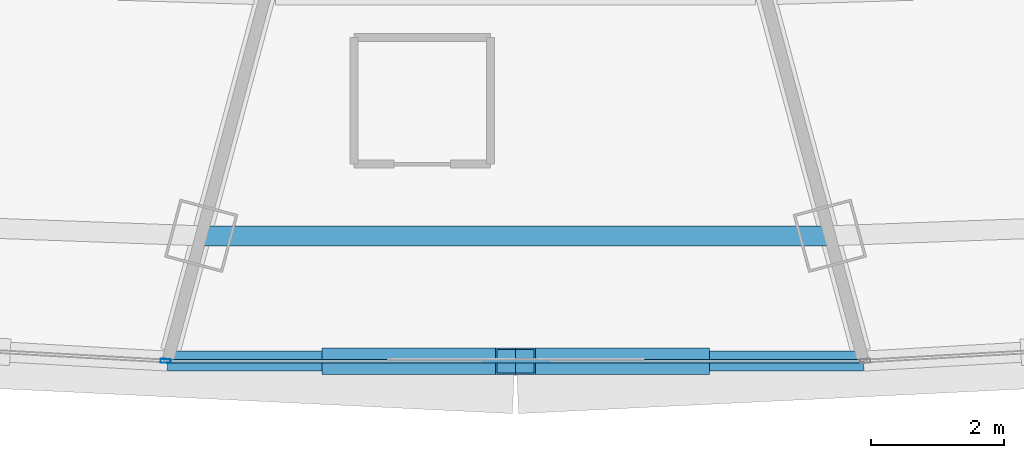
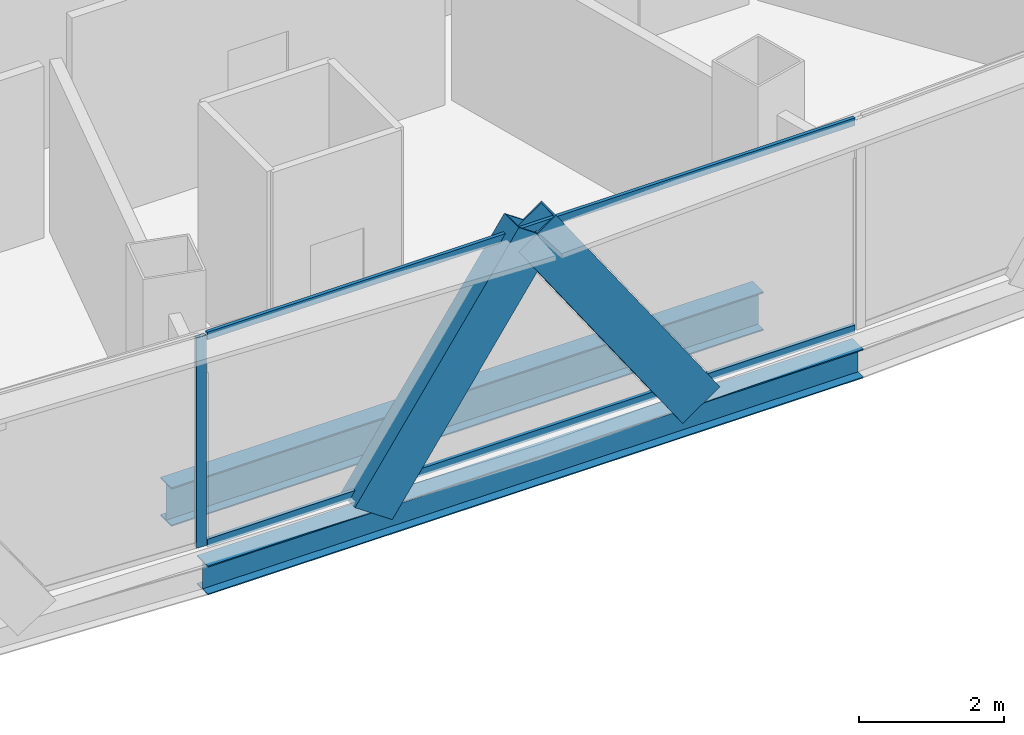
# One storey, part 10 of 37: 5 members, 2 beams, 2 elements without a shape of their own.
"""IFC4 building model written with IfcOpenShell, lengths in metres."""

from ifc_helpers import new_model, si_unit, direction, frame, origin, origin_2d, place, context, subcontext, project, spatial, hollow_rectangle, i_section, extrude, source, transform, mapped, material, layer, layer_set, material_profile, profile_set, type_object, element, aggregate, save


model = new_model("IFC4")

# Units and contexts
model_context = context("Model", 3, precision=1e-05, world=origin(), true_north=direction((0.0, 1.0)))
body_context = subcontext(model_context, "Body", "Model", "MODEL_VIEW")
ifc_project = project(units=[si_unit("LENGTHUNIT", "METRE"), si_unit("AREAUNIT", "SQUARE_METRE"), si_unit("VOLUMEUNIT", "CUBIC_METRE"), si_unit("PLANEANGLEUNIT", "RADIAN"), si_unit("MASSUNIT", "GRAM", prefix="KILO"), si_unit("THERMODYNAMICTEMPERATUREUNIT", "KELVIN"), si_unit("POWERUNIT", "WATT")], contexts=[model_context])

# Site, building, storey
site_placement = place(None, origin())
site = spatial("IfcSite", under=ifc_project, at=site_placement, CompositionType="ELEMENT")
building_placement = place(site_placement, origin())
building = spatial("IfcBuilding", under=site, at=building_placement, Name="Yunzhuo Pagoda Commons", CompositionType="ELEMENT")
storey_placement = place(building_placement, frame((0.0, 0.0, 196.159912109375)))
storey = spatial("IfcBuildingStorey", under=building, at=storey_placement, Name="L49", CompositionType="ELEMENT", Elevation=196.159912109375)

# Beams
ifc_material_1 = material(Name="Structural steel Q355B", Category="steel")
ifc_material_profile_1 = material_profile(ifc_material_1, i_section(OverallWidth=0.300048828125, OverallDepth=0.64990234375, WebThickness=0.012939453125, FlangeThickness=0.02197265625, at=origin_2d()), Name="Structural steel Q355B")
ifc_profile_set_1 = profile_set([ifc_material_profile_1], Name="Structural steel Q355B")
beam_type_1 = type_object("IfcBeamType", Name="B-RG2 Beam HN 650x300x13x22", PredefinedType="BEAM", material=ifc_profile_set_1)
shared_shape_1 = source(origin(), body_context, "Body", "SweptSolid", [
    extrude(i_section(OverallWidth=0.300048828125, OverallDepth=0.64990234375, WebThickness=0.012939453125, FlangeThickness=0.02197265625, at=origin_2d()), origin(), (0.0, 0.0, 1.0), 9.42529296875),
])
beam_1_placement = place(storey_placement, frame((43.28759765625, 16.1123046875, -0.5849609375), z_axis=(1.0, 0.0, 0.0), x_axis=(0.0, 1.0, 0.0)))
element("IfcBeam", 1, at=beam_1_placement, inside=storey, type_object=beam_type_1, Name="L49 column-ring beam 2", PredefinedType="BEAM", context=body_context, shape_type="MappedRepresentation", body=[
    mapped(shared_shape_1, transform((0.0, 0.0, 0.0), scale=1.0)),
])
ifc_material_profile_2 = material_profile(ifc_material_1, i_section(OverallWidth=0.300048828125, OverallDepth=0.488037109375, WebThickness=0.010986328125, FlangeThickness=0.01806640625, at=origin_2d()), Name="Structural steel Q355B")
ifc_profile_set_2 = profile_set([ifc_material_profile_2], Name="Structural steel Q355B")
beam_type_2 = type_object("IfcBeamType", Name="B-SP1 Beam HM 488x300x11x18", PredefinedType="BEAM", material=ifc_profile_set_2)
shared_shape_2 = source(origin(), body_context, "Body", "SweptSolid", [
    extrude(i_section(OverallWidth=0.300048828125, OverallDepth=0.488037109375, WebThickness=0.010986328125, FlangeThickness=0.01806640625, at=origin_2d()), origin(), (0.0, 0.0, 1.0), 10.43212890625),
])
beam_2_placement = place(storey_placement, frame((42.7841796875, 14.233642578125, -0.50390625), z_axis=(1.0, 0.0, 0.0), x_axis=(0.0, 1.0, 0.0)))
element("IfcBeam", 2, at=beam_2_placement, inside=storey, type_object=beam_type_2, Name="L49 facade edge spandrel beam F1.2", PredefinedType="BEAM", context=body_context, shape_type="MappedRepresentation", body=[
    mapped(shared_shape_2, transform((0.0, 0.0, 0.0), scale=1.0)),
])

# Members
ifc_material_profile_3 = material_profile(ifc_material_1, hollow_rectangle(XDim=0.39990234375, YDim=0.719970703125, WallThickness=0.02392578125, at=origin_2d()), Name="Structural steel Q355B")
ifc_profile_set_3 = profile_set([ifc_material_profile_3], Name="Structural steel Q355B")
member_type_1 = type_object("IfcMemberType", Name="M-DL2 Brace BOX 720x400x24", PredefinedType="BRACE", material=ifc_profile_set_3)
shared_shape_3 = source(origin(), body_context, "Body", "SweptSolid", [
    extrude(hollow_rectangle(XDim=0.39990234375, YDim=0.719970703125, WallThickness=0.02392578125, at=origin_2d()), origin(), (0.0, 0.0, 1.0), 4.60888671875),
])
for number, where, z_axis, x_axis, name in (
    (3, (45.39208984375, 14.233642578125, -0.260009765625), (0.565847439668, 0.0, 0.824509960535), (0.0, 1.0, 0.0), "L49 facade diamond brace F1.2L"),
    (4, (50.60791015625, 14.233642578125, -0.260009765625), (-0.565847439668, 0.0, 0.824509960535), (0.0, -1.0, 0.0), "L49 facade diamond brace F1.2R"),
):
    element("IfcMember", number, at=place(storey_placement, frame(where, z_axis=z_axis, x_axis=x_axis)), inside=storey, type_object=member_type_1, Name=name, PredefinedType="BRACE", context=body_context, shape_type="MappedRepresentation", body=[
        mapped(shared_shape_3, transform((0.0, 0.0, 0.0), scale=1.0)),
    ])

# Curtain wall, member
ifc_material_2 = material(Name="Anodized aluminium 6063-T6", Category="aluminium")
ifc_layer = layer(ifc_material_2, 0.14990234375)
ifc_layer_set = layer_set([ifc_layer], Name="Anodized aluminium 6063-T6")
curtain_wall_type = type_object("IfcCurtainWallType", Name="CW-MID Mid-Zone Ribbon Curtain Wall", PredefinedType="NOTDEFINED", material=ifc_layer_set)
curtain_wall_1_placement = place(storey_placement, origin())
curtain_wall_1 = element("IfcCurtainWall", 5, at=curtain_wall_1_placement, inside=storey, type_object=curtain_wall_type, Name="L49 curtain wall CW-L49-F1B2", PredefinedType="NOTDEFINED")
ifc_material_profile_4 = material_profile(ifc_material_2, hollow_rectangle(XDim=0.06005859375, YDim=0.14990234375, WallThickness=0.00390625, at=origin_2d()), Name="Anodized aluminium 6063-T6")
ifc_profile_set_4 = profile_set([ifc_material_profile_4], Name="Anodized aluminium 6063-T6")
member_type_2 = type_object("IfcMemberType", Name="CW-MID-M Mullion RHS 150x60x4", PredefinedType="MULLION", material=ifc_profile_set_4)
shared_shape_4 = source(origin(), body_context, "Body", "SweptSolid", [
    extrude(hollow_rectangle(XDim=0.06005859375, YDim=0.14990234375, WallThickness=0.00390625, at=origin_2d()), origin(), (0.0, 0.0, 1.0), 3.5400390625),
])
member_1_placement = place(storey_placement, frame((42.754150390625, 14.2353515625, 0.0), z_axis=(0.0, 0.0, 1.0), x_axis=(0.055982959182, 0.998431724396, 0.0)))
member_1 = element("IfcMember", 6, at=member_1_placement, type_object=member_type_2, Name="CW mullion 2", PredefinedType="MULLION", context=body_context, shape_type="MappedRepresentation", body=[
    mapped(shared_shape_4, transform((0.0, 0.0, 0.0), scale=1.0)),
])
aggregate(curtain_wall_1, [member_1])

# Curtain wall, members
curtain_wall_2_placement = place(storey_placement, origin())
curtain_wall_2 = element("IfcCurtainWall", 7, at=curtain_wall_2_placement, inside=storey, type_object=curtain_wall_type, Name="L49 curtain wall CW-L49-F1B3", PredefinedType="NOTDEFINED")
ifc_material_profile_5 = material_profile(ifc_material_2, hollow_rectangle(XDim=0.054931640625, YDim=0.1298828125, WallThickness=0.00341796875, at=origin_2d()), Name="Anodized aluminium 6063-T6")
ifc_profile_set_5 = profile_set([ifc_material_profile_5], Name="Anodized aluminium 6063-T6")
member_type_3 = type_object("IfcMemberType", Name="CW-MID-T Transom RHS 130x55x3.5", PredefinedType="USERDEFINED", material=ifc_profile_set_5)
shared_shape_5 = source(origin(), body_context, "Body", "SweptSolid", [
    extrude(hollow_rectangle(XDim=0.054931640625, YDim=0.1298828125, WallThickness=0.00341796875, at=origin_2d()), origin(), (0.0, 0.0, 1.0), 10.31201171875),
])
member_2_placement = place(storey_placement, frame((42.843994140625, 14.233642578125, 0.027587890625), z_axis=(1.0, 0.0, 0.0), x_axis=(0.0, 1.0, 0.0)))
member_2 = element("IfcMember", 8, at=member_2_placement, type_object=member_type_3, Name="CW transom 1.1", ObjectType="TRANSOM", PredefinedType="USERDEFINED", context=body_context, shape_type="MappedRepresentation", body=[
    mapped(shared_shape_5, transform((0.0, 0.0, 0.0), scale=1.0)),
])
member_3_placement = place(storey_placement, frame((42.843994140625, 14.233642578125, 3.5126953125), z_axis=(1.0, 0.0, 0.0), x_axis=(0.0, 1.0, 0.0)))
member_3 = element("IfcMember", 9, at=member_3_placement, type_object=member_type_3, Name="CW transom 1.2", ObjectType="TRANSOM", PredefinedType="USERDEFINED", context=body_context, shape_type="MappedRepresentation", body=[
    mapped(shared_shape_5, transform((0.0, 0.0, 0.0), scale=1.0)),
])
aggregate(curtain_wall_2, [member_2, member_3])

save(model, "model.ifc")
